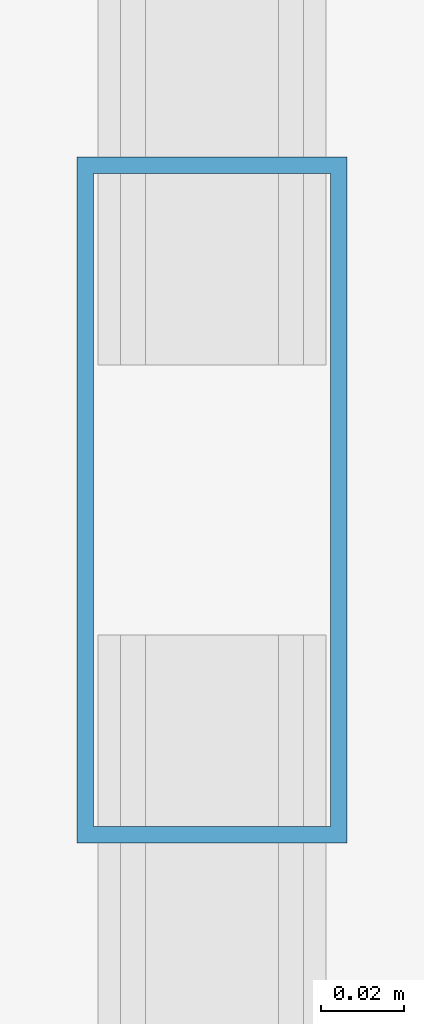
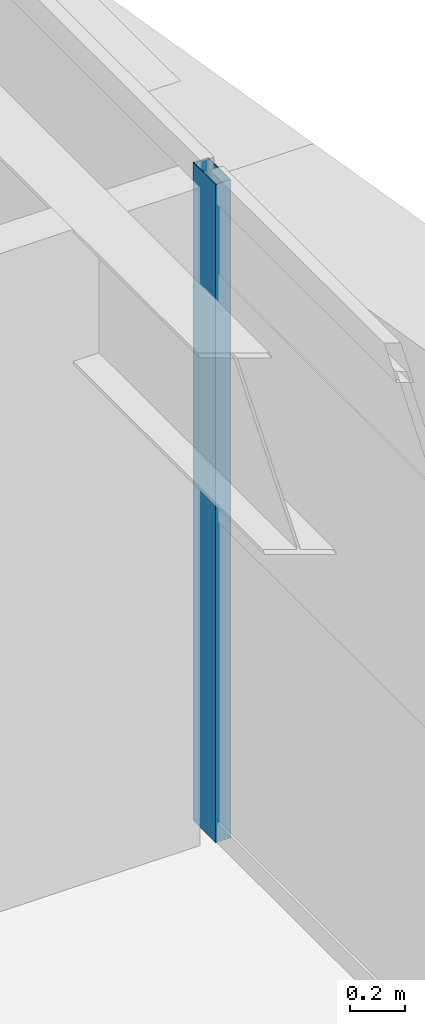
# One storey, part 26 of 59: 1 member, 1 element without a shape of its own.
"""IFC4 building model written with IfcOpenShell, lengths in metres."""

from ifc_helpers import new_model, si_unit, direction, frame, origin, origin_2d, place, context, subcontext, project, spatial, hollow_rectangle, extrude, source, transform, mapped, material, layer, layer_set, material_profile, profile_set, type_object, element, aggregate, save


model = new_model("IFC4")

# Units and contexts
model_context = context("Model", 3, precision=1e-05, world=origin(), true_north=direction((0.0, 1.0)))
body_context = subcontext(model_context, "Body", "Model", "MODEL_VIEW")
ifc_project = project(units=[si_unit("LENGTHUNIT", "METRE"), si_unit("AREAUNIT", "SQUARE_METRE"), si_unit("VOLUMEUNIT", "CUBIC_METRE"), si_unit("PLANEANGLEUNIT", "RADIAN"), si_unit("MASSUNIT", "GRAM", prefix="KILO")], contexts=[model_context])

# Site, building, storey
site_placement = place(None, origin())
site = spatial("IfcSite", under=ifc_project, at=site_placement, CompositionType="ELEMENT")
building_placement = place(site_placement, origin())
building = spatial("IfcBuilding", under=site, at=building_placement, Name="Taldren Reach Tower", CompositionType="ELEMENT")
storey_placement = place(building_placement, frame((0.0, 0.0, 19.949951171875)))
storey = spatial("IfcBuildingStorey", under=building, at=storey_placement, Name="L05", CompositionType="ELEMENT", Elevation=19.949951171875)

# Curtain wall, member
ifc_material_1 = material(Name="Aluminium and Low-E Glass Unitised System", Category="aluminium")
ifc_layer = layer(ifc_material_1, 0.159912109375)
ifc_layer_set = layer_set([ifc_layer], Name="Aluminium and Low-E Glass Unitised System")
curtain_wall_type = type_object("IfcCurtainWallType", Name="CW-SYS-2", PredefinedType="NOTDEFINED", material=ifc_layer_set)
curtain_wall_placement = place(storey_placement, origin())
curtain_wall = element("IfcCurtainWall", 1, at=curtain_wall_placement, inside=storey, type_object=curtain_wall_type, Name="Unitised curtain wall CW-L05-E", PredefinedType="NOTDEFINED")
ifc_material_2 = material(Name="Anodised Aluminium 6063-T6", Category="aluminium")
ifc_material_profile = material_profile(ifc_material_2, hollow_rectangle(XDim=0.06494140625, YDim=0.1650390625, WallThickness=0.00390625, at=origin_2d()), Name="ALU-165x65x4RHS")
ifc_profile_set = profile_set([ifc_material_profile], Name="Anodised Aluminium 6063-T6")
member_type = type_object("IfcMemberType", Name="CW-MUL-165", PredefinedType="MULLION", material=ifc_profile_set)
shared_shape = source(origin(), body_context, "Body", "SweptSolid", [
    extrude(hollow_rectangle(XDim=0.06494140625, YDim=0.1650390625, WallThickness=0.00390625, at=origin_2d()), origin(), (0.0, 0.0, 1.0), 2.929931640625),
])
member_placement = place(storey_placement, frame((64.860107421875, 11.388916015625, 0.0), z_axis=(0.0, 0.0, 1.0), x_axis=(-1.0, 0.0, 0.0)))
member = element("IfcMember", 2, at=member_placement, type_object=member_type, Name="CW-2 mullion 3", PredefinedType="MULLION", context=body_context, shape_type="MappedRepresentation", body=[
    mapped(shared_shape, transform((0.0, 0.0, 0.0), scale=1.0)),
])
aggregate(curtain_wall, [member])

save(model, "model.ifc")
